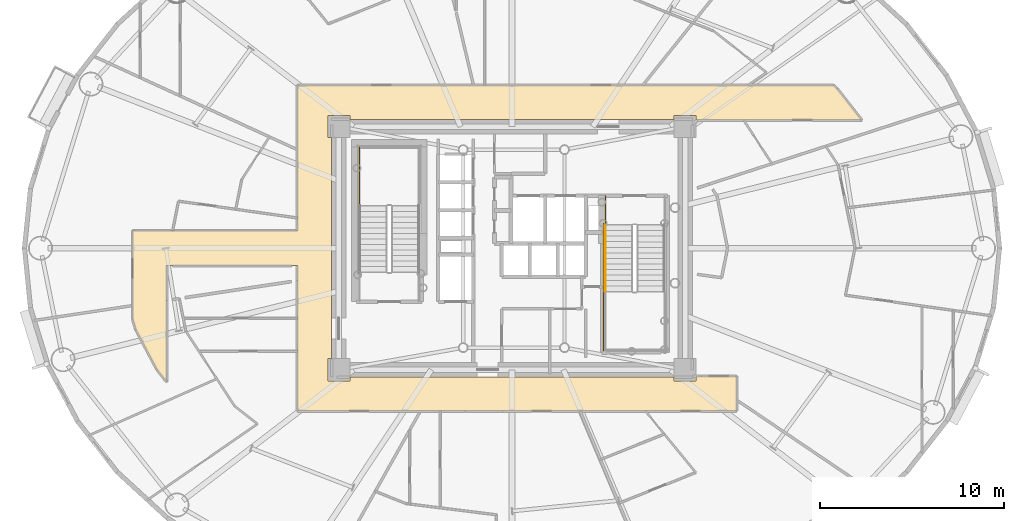
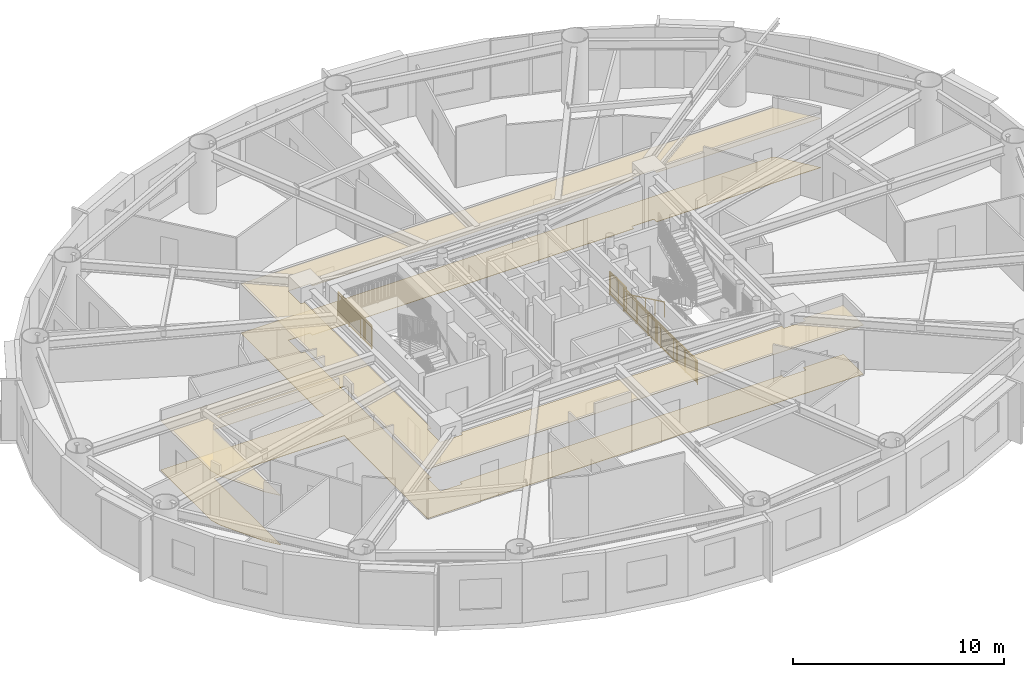
# One storey, part 17 of 21: 4 railings, 2 coverings.
"""IFC4 building model written with IfcOpenShell, lengths in metres."""

import ifcopenshell
import ifcopenshell.guid

model = None  # the IFC model being written
_history = None  # IfcOwnerHistory: only IFC2X3 demands one
_inside = {}  # id of a spatial element -> (the spatial element, [elements in it])
_under = {}  # id of a project, library or spatial element -> (it, [spatial elements below it])
_declared = {}  # id of a project -> (the project, [libraries it declares])
_typed = {}  # id of a type object -> (the type object, [elements of that type])
_made_of = {}  # id of a material, layer set ... -> (it, [elements and type objects made of it])


def new_model(schema):
    """Start an empty IFC model of exactly this schema.

    Asked for "IFC4X3", IfcOpenShell would pick the latest addendum, in which some entities
    have other attributes; the version numbers below select the first issue.
    IFC2X3 requires an IfcOwnerHistory on every rooted entity: one is made here for all.
    """
    global model, _history
    if schema == "IFC4X3":
        model = ifcopenshell.file(schema_version=(4, 3, 0, 0))
    else:
        model = ifcopenshell.file(schema=schema)
    _inside.clear()
    _under.clear()
    _declared.clear()
    _typed.clear()
    _made_of.clear()
    _history = None
    if model.schema == "IFC2X3":
        org = make("IfcOrganization", Name="unknown")
        user = make(
            "IfcPersonAndOrganization",
            ThePerson=make("IfcPerson", FamilyName="unknown"),
            TheOrganization=org,
        )
        app = make(
            "IfcApplication",
            ApplicationDeveloper=org,
            Version="unknown",
            ApplicationFullName="unknown",
            ApplicationIdentifier="unknown",
        )
        _history = make(
            "IfcOwnerHistory",
            OwningUser=user,
            OwningApplication=app,
            ChangeAction="ADDED",
            CreationDate=0,
        )
    return model


def make(cls, **values):
    """One entity of the class cls with the attributes given. An attribute that is None is left unset."""
    return model.create_entity(
        cls, **{name: value for name, value in values.items() if value is not None}
    )


def rooted(cls, **values):
    """An entity with a GlobalId (a new one), such as an element, a storey or a relation."""
    return make(cls, GlobalId=ifcopenshell.guid.new(), OwnerHistory=_history, **values)


def si_unit(unit_type, name, prefix=None):
    """IfcSIUnit, for example si_unit("LENGTHUNIT", "METRE", prefix="MILLI")."""
    return make("IfcSIUnit", UnitType=unit_type, Prefix=prefix, Name=name)


def assignment(units):
    """IfcUnitAssignment: the units of a project."""
    return None if units is None else make("IfcUnitAssignment", Units=units)


def point(xyz):
    """IfcCartesianPoint."""
    return None if xyz is None else make("IfcCartesianPoint", Coordinates=xyz)


def direction(xyz):
    """IfcDirection."""
    return None if xyz is None else make("IfcDirection", DirectionRatios=xyz)


def frame(location, z_axis=None, x_axis=None):
    """IfcAxis2Placement3D, a coordinate frame: its origin and axes. An axis left out is left unset."""
    return make(
        "IfcAxis2Placement3D",
        Location=point(location),
        Axis=direction(z_axis),
        RefDirection=direction(x_axis),
    )


def frame_2d(location, x_axis=None):
    """IfcAxis2Placement2D, a coordinate frame in the plane: its origin and x axis."""
    return make(
        "IfcAxis2Placement2D", Location=point(location), RefDirection=direction(x_axis)
    )


def origin():
    """The frame at (0, 0, 0) with its axes left unset."""
    return frame((0.0, 0.0, 0.0))


def origin_2d():
    """The frame at (0, 0) in the plane with its x axis left unset."""
    return frame_2d((0.0, 0.0))


def place(relative_to, where):
    """IfcLocalPlacement: puts the frame where relative to a parent placement (None: the world)."""
    return make(
        "IfcLocalPlacement", PlacementRelTo=relative_to, RelativePlacement=where
    )


def context(
    kind, dimensions, precision=None, world=None, true_north=None, identifier=None
):
    """IfcGeometricRepresentationContext, for example the 3D "Model" context."""
    return make(
        "IfcGeometricRepresentationContext",
        ContextIdentifier=identifier,
        ContextType=kind,
        CoordinateSpaceDimension=dimensions,
        Precision=precision,
        WorldCoordinateSystem=world,
        TrueNorth=true_north,
    )


def subcontext(parent, identifier, kind, view, scale=None):
    """IfcGeometricRepresentationSubContext, for example "Body" below "Model"."""
    return make(
        "IfcGeometricRepresentationSubContext",
        ContextIdentifier=identifier,
        ContextType=kind,
        ParentContext=parent,
        TargetScale=scale,
        TargetView=view,
    )


def project(units=None, contexts=None):
    """IfcProject with its units and contexts."""
    return rooted(
        "IfcProject",
        Name="project",
        RepresentationContexts=contexts,
        UnitsInContext=assignment(units),
    )


def spatial(cls, under=None, at=None, **own):
    """A site, building, storey or space (cls), placed at a placement, below another one or the project."""
    s = rooted(cls, ObjectPlacement=at, **own)
    if under is not None:
        _under.setdefault(under.id(), (under, []))[1].append(s)
    return s


def polyline(points):
    """IfcPolyline through the points."""
    return make("IfcPolyline", Points=[point(p) for p in points])


def profile(cls, at=None, kind="AREA", **sizes):
    """A parametric profile (cls). Its sizes go by their IFC names, for example OverallWidth=200.0."""
    return make(cls, ProfileType=kind, Position=at, **sizes)


def rectangle(**sizes):
    """IfcRectangleProfileDef."""
    return profile("IfcRectangleProfileDef", **sizes)


def outline(outer, holes=None, kind="AREA"):
    """IfcArbitraryClosedProfileDef: a profile drawn as a closed curve; with holes, ...WithVoids."""
    if holes is None:
        return make("IfcArbitraryClosedProfileDef", ProfileType=kind, OuterCurve=outer)
    return make(
        "IfcArbitraryProfileDefWithVoids",
        ProfileType=kind,
        OuterCurve=outer,
        InnerCurves=holes,
    )


def extrude(swept, where, along, depth):
    """IfcExtrudedAreaSolid: the profile swept, set in the frame where, extruded along a direction by depth."""
    return make(
        "IfcExtrudedAreaSolid",
        SweptArea=swept,
        Position=where,
        ExtrudedDirection=direction(along),
        Depth=depth,
    )


def shape(context_of_items, identifier, shape_type, items):
    """IfcShapeRepresentation: the items that make up one representation, for example the "Body"."""
    return make(
        "IfcShapeRepresentation",
        ContextOfItems=context_of_items,
        RepresentationIdentifier=identifier,
        RepresentationType=shape_type,
        Items=items,
    )


def source(mapping_origin, context_of_items, identifier, shape_type, items):
    """IfcRepresentationMap: a shape defined once, which mapped items show again and again."""
    return make(
        "IfcRepresentationMap",
        MappingOrigin=mapping_origin,
        MappedRepresentation=shape(context_of_items, identifier, shape_type, items),
    )


def transform(
    local_origin,
    x_axis=None,
    y_axis=None,
    z_axis=None,
    scale=None,
    scale2=None,
    scale3=None,
    uniform=True,
):
    """IfcCartesianTransformationOperator3D, or its non-uniform kind. x_axis, y_axis, z_axis: its Axis1, 2, 3."""
    if uniform:
        return make(
            "IfcCartesianTransformationOperator3D",
            Axis1=direction(x_axis),
            Axis2=direction(y_axis),
            LocalOrigin=point(local_origin),
            Scale=scale,
            Axis3=direction(z_axis),
        )
    return make(
        "IfcCartesianTransformationOperator3DnonUniform",
        Axis1=direction(x_axis),
        Axis2=direction(y_axis),
        LocalOrigin=point(local_origin),
        Scale=scale,
        Axis3=direction(z_axis),
        Scale2=scale2,
        Scale3=scale3,
    )


def mapped(mapping_source, mapping_target):
    """IfcMappedItem: shows the shape of a source again, moved by a transform."""
    return make(
        "IfcMappedItem", MappingSource=mapping_source, MappingTarget=mapping_target
    )


def material(Name=None, Category=None):
    """IfcMaterial."""
    return make("IfcMaterial", Name=Name, Category=Category)


def layer(
    of_material, thickness, ventilated=None, Name=None, Category=None, Priority=None
):
    """IfcMaterialLayer: one layer of a wall or slab, of a material (None: an air gap)."""
    return make(
        "IfcMaterialLayer",
        Material=of_material,
        LayerThickness=thickness,
        IsVentilated=ventilated,
        Name=Name,
        Category=Category,
        Priority=Priority,
    )


def layer_set(layers, Name=None):
    """IfcMaterialLayerSet."""
    return make("IfcMaterialLayerSet", MaterialLayers=layers, LayerSetName=Name)


def made_of(thing, what):
    """Note that an element or type object is made of a material, layer set ...; save() writes the relation."""
    if what is not None:
        _made_of.setdefault(what.id(), (what, []))[1].append(thing)
    return thing


def type_object(cls, material=None, **own):
    """A type object (cls), such as IfcWallType, which elements share."""
    return made_of(rooted(cls, **own), material)


def element(
    cls,
    number,
    at=None,
    inside=None,
    cuts=None,
    type_object=None,
    material=None,
    context=None,
    identifier="Body",
    shape_type=None,
    held_by="IfcProductDefinitionShape",
    body=None,
    shapes=None,
    **own,
):
    """One element of the class cls, such as IfcWall. Its Tag is "e" and its number.

    at: its placement. inside: the storey or other place that contains it. cuts: it is an
    opening in that element (IfcRelVoidsElement). A single representation is given by context,
    identifier, shape_type and body (its items); several are given by shapes. held_by: the class
    of the entity that holds the representations. save() writes the other relations.
    """
    e = rooted(cls, Tag="e%d" % number, ObjectPlacement=at, **own)
    if body is not None:
        shapes = [shape(context, identifier, shape_type, body)]
    if shapes is not None:
        e.Representation = make(held_by, Representations=shapes)
    if inside is not None:
        _inside.setdefault(inside.id(), (inside, []))[1].append(e)
    if cuts is not None:
        rooted(
            "IfcRelVoidsElement", RelatingBuildingElement=cuts, RelatedOpeningElement=e
        )
    if type_object is not None:
        _typed.setdefault(type_object.id(), (type_object, []))[1].append(e)
    return made_of(e, material)


def aggregate(whole, parts):
    """IfcRelAggregates: a whole, such as a stair, and the parts it consists of."""
    return rooted("IfcRelAggregates", RelatingObject=whole, RelatedObjects=parts)


def save(model, path):
    """Write the relations noted so far, then the file.

    IfcRelAggregates (storeys below a building ...), IfcRelContainedInSpatialStructure (elements
    in a storey), IfcRelDefinesByType, IfcRelAssociatesMaterial and IfcRelDeclares: one each for
    every whole, place, type object, material and project.
    """
    for whole, parts in _under.values():
        aggregate(whole, parts)
    for where, things in _inside.values():
        rooted(
            "IfcRelContainedInSpatialStructure",
            RelatedElements=things,
            RelatingStructure=where,
        )
    for kind, things in _typed.values():
        rooted("IfcRelDefinesByType", RelatedObjects=things, RelatingType=kind)
    for what, things in _made_of.values():
        rooted("IfcRelAssociatesMaterial", RelatedObjects=things, RelatingMaterial=what)
    for by, libraries in _declared.values():
        rooted("IfcRelDeclares", RelatingContext=by, RelatedDefinitions=libraries)
    model.write(path)


model = new_model("IFC4")

# Units and contexts
model_context = context("Model", 3, precision=1e-05, world=origin(), true_north=direction((0.0, 1.0)))
body_context = subcontext(model_context, "Body", "Model", "MODEL_VIEW")
ifc_project = project(units=[si_unit("LENGTHUNIT", "METRE"), si_unit("AREAUNIT", "SQUARE_METRE"), si_unit("VOLUMEUNIT", "CUBIC_METRE"), si_unit("PLANEANGLEUNIT", "RADIAN"), si_unit("MASSUNIT", "GRAM", prefix="KILO")], contexts=[model_context])

# Site, building, storey
site_placement = place(None, origin())
site = spatial("IfcSite", under=ifc_project, at=site_placement, CompositionType="ELEMENT")
building_placement = place(site_placement, origin())
building = spatial("IfcBuilding", under=site, at=building_placement, Name="Linh Dai School and Residence Tower", CompositionType="ELEMENT")
storey_placement = place(building_placement, frame((0.0, 0.0, 156.14990234375)))
storey = spatial("IfcBuildingStorey", under=building, at=storey_placement, Name="L37", CompositionType="ELEMENT", Elevation=156.14990234375)

# Coverings
ifc_material_1 = material(Name="Mineral Fibre Acoustic Suspended Ceiling", Category="masonry")
ifc_layer_1 = layer(ifc_material_1, 0.02001953125)
ifc_layer_set_1 = layer_set([ifc_layer_1], Name="Mineral Fibre Acoustic Suspended Ceiling")
covering_type_1 = type_object("IfcCoveringType", Name="COV-CEIL-AC-20", PredefinedType="CEILING", material=ifc_layer_set_1)
covering_1_placement = place(storey_placement, frame((0.0, 0.0, 2.85009765625)))
element("IfcCovering", 1, at=covering_1_placement, inside=storey, type_object=covering_type_1, Name="L37 Residential Floor Corridor Suspended Ceiling", PredefinedType="CEILING", context=body_context, shape_type="SweptSolid", body=[
    extrude(outline(polyline([(17.25, 19.734375), (16.720458984375, 20.410888671875), (15.57421875, 22.577880859375), (15.39990234375, 23.14599609375), (15.39990234375, 27.949951171875), (24.35009765625, 27.949951171875), (24.35009765625, 35.85009765625), (53.453857421875, 35.85009765625), (53.6533203125, 35.6669921875), (54.9970703125, 33.949951171875), (46.0, 33.949951171875), (46.0, 34.199951171875), (44.800048828125, 34.199951171875), (44.800048828125, 34.0), (27.199951171875, 34.0), (27.199951171875, 34.199951171875), (26.0, 34.199951171875), (26.0, 33.0), (26.199951171875, 33.0), (26.199951171875, 21.0), (26.0, 21.0), (26.0, 19.800048828125), (27.199951171875, 19.800048828125), (27.199951171875, 20.0), (44.800048828125, 20.0), (44.800048828125, 19.800048828125), (46.0, 19.800048828125), (46.0, 20.050048828125), (48.199951171875, 20.050048828125), (48.199951171875, 18.14990234375), (24.35009765625, 18.14990234375), (24.35009765625, 26.050048828125), (17.25, 26.050048828125), (17.25, 19.734375)])), origin(), (0.0, 0.0, 1.0), 0.02001953125),
])
ifc_material_2 = material(Name="Polished Terrazzo Floor Finish", Category="masonry")
ifc_layer_2 = layer(ifc_material_2, 0.02490234375)
ifc_layer_set_2 = layer_set([ifc_layer_2], Name="Polished Terrazzo Floor Finish")
covering_type_2 = type_object("IfcCoveringType", Name="COV-FLR-TRZ-25", PredefinedType="FLOORING", material=ifc_layer_set_2)
covering_2_placement = place(storey_placement, origin())
element("IfcCovering", 2, at=covering_2_placement, inside=storey, type_object=covering_type_2, Name="L37 Residential Floor Corridor Floor Finish", PredefinedType="FLOORING", context=body_context, shape_type="SweptSolid", body=[
    extrude(outline(polyline([(17.25, 19.734375), (16.720458984375, 20.410888671875), (15.57421875, 22.577880859375), (15.39990234375, 23.14599609375), (15.39990234375, 27.949951171875), (24.35009765625, 27.949951171875), (24.35009765625, 35.85009765625), (53.453857421875, 35.85009765625), (53.6533203125, 35.6669921875), (54.9970703125, 33.949951171875), (46.0, 33.949951171875), (46.0, 34.199951171875), (44.800048828125, 34.199951171875), (44.800048828125, 34.0), (27.199951171875, 34.0), (27.199951171875, 34.199951171875), (26.0, 34.199951171875), (26.0, 33.0), (26.199951171875, 33.0), (26.199951171875, 21.0), (26.0, 21.0), (26.0, 19.800048828125), (27.199951171875, 19.800048828125), (27.199951171875, 20.0), (44.800048828125, 20.0), (44.800048828125, 19.800048828125), (46.0, 19.800048828125), (46.0, 20.050048828125), (48.199951171875, 20.050048828125), (48.199951171875, 18.14990234375), (24.35009765625, 18.14990234375), (24.35009765625, 26.050048828125), (17.25, 26.050048828125), (17.25, 19.734375)])), origin(), (0.0, 0.0, 1.0), 0.02001953125),
])

# Railings
ifc_material_3 = material(Name="Structural Steel S355JR", Category="steel")
railing_type_1 = type_object("IfcRailingType", Name="RL-ST-GUARD-1400", PredefinedType="GUARDRAIL", material=ifc_material_3)
shared_shape_1 = source(origin(), body_context, "Body", "SweptSolid", [
    extrude(rectangle(XDim=0.048095703125, YDim=0.048095703125, at=origin_2d()), frame((0.0, 0.0, 1.3759765625), z_axis=(0.0, 1.0, 0.0), x_axis=(-1.0, 0.0, 0.0)), (0.0, 0.0, 1.0), 3.199951171875),
    extrude(rectangle(XDim=0.048095703125, YDim=0.048095703125, at=origin_2d()), frame((0.0, 0.0, 0.10009765625), z_axis=(0.0, 1.0, 0.0), x_axis=(-1.0, 0.0, 0.0)), (0.0, 0.0, 1.0), 3.199951171875),
    extrude(rectangle(XDim=0.030029296875, YDim=0.030029296875, at=origin_2d()), frame((0.0, 0.0, 1.239990234375), z_axis=(0.0, 1.0, 0.0), x_axis=(-1.0, 0.0, 0.0)), (0.0, 0.0, 1.0), 3.199951171875),
    extrude(rectangle(XDim=0.02001953125, YDim=0.02001953125, at=origin_2d()), frame((0.0, 0.096923828125, 0.10009765625)), (0.0, 0.0, 1.0), 1.251708984375),
    extrude(rectangle(XDim=0.02001953125, YDim=0.02001953125, at=origin_2d()), frame((0.0, 0.19384765625, 0.10009765625)), (0.0, 0.0, 1.0), 1.251708984375),
    extrude(rectangle(XDim=0.02001953125, YDim=0.02001953125, at=origin_2d()), frame((0.0, 0.291015625, 0.10009765625)), (0.0, 0.0, 1.0), 1.251708984375),
    extrude(rectangle(XDim=0.02001953125, YDim=0.02001953125, at=origin_2d()), frame((0.0, 0.387939453125, 0.10009765625)), (0.0, 0.0, 1.0), 1.251708984375),
    extrude(rectangle(XDim=0.02001953125, YDim=0.02001953125, at=origin_2d()), frame((0.0, 0.48486328125, 0.10009765625)), (0.0, 0.0, 1.0), 1.251708984375),
    extrude(rectangle(XDim=0.02001953125, YDim=0.02001953125, at=origin_2d()), frame((0.0, 0.581787109375, 0.10009765625)), (0.0, 0.0, 1.0), 1.251708984375),
    extrude(rectangle(XDim=0.02001953125, YDim=0.02001953125, at=origin_2d()), frame((0.0, 0.6787109375, 0.10009765625)), (0.0, 0.0, 1.0), 1.251708984375),
    extrude(rectangle(XDim=0.02001953125, YDim=0.02001953125, at=origin_2d()), frame((0.0, 0.775634765625, 0.10009765625)), (0.0, 0.0, 1.0), 1.251708984375),
    extrude(rectangle(XDim=0.02001953125, YDim=0.02001953125, at=origin_2d()), frame((0.0, 0.872802734375, 0.10009765625)), (0.0, 0.0, 1.0), 1.251708984375),
    extrude(rectangle(XDim=0.02001953125, YDim=0.02001953125, at=origin_2d()), frame((0.0, 0.9697265625, 0.10009765625)), (0.0, 0.0, 1.0), 1.251708984375),
    extrude(rectangle(XDim=0.02001953125, YDim=0.02001953125, at=origin_2d()), frame((0.0, 1.16357421875, 0.10009765625)), (0.0, 0.0, 1.0), 1.251708984375),
    extrude(rectangle(XDim=0.02001953125, YDim=0.02001953125, at=origin_2d()), frame((0.0, 1.260498046875, 0.10009765625)), (0.0, 0.0, 1.0), 1.251708984375),
    extrude(rectangle(XDim=0.02001953125, YDim=0.02001953125, at=origin_2d()), frame((0.0, 1.357666015625, 0.10009765625)), (0.0, 0.0, 1.0), 1.251708984375),
    extrude(rectangle(XDim=0.02001953125, YDim=0.02001953125, at=origin_2d()), frame((0.0, 1.45458984375, 0.10009765625)), (0.0, 0.0, 1.0), 1.251708984375),
    extrude(rectangle(XDim=0.02001953125, YDim=0.02001953125, at=origin_2d()), frame((0.0, 1.551513671875, 0.10009765625)), (0.0, 0.0, 1.0), 1.251708984375),
    extrude(rectangle(XDim=0.02001953125, YDim=0.02001953125, at=origin_2d()), frame((0.0, 1.6484375, 0.10009765625)), (0.0, 0.0, 1.0), 1.251708984375),
    extrude(rectangle(XDim=0.02001953125, YDim=0.02001953125, at=origin_2d()), frame((0.0, 1.745361328125, 0.10009765625)), (0.0, 0.0, 1.0), 1.251708984375),
    extrude(rectangle(XDim=0.02001953125, YDim=0.02001953125, at=origin_2d()), frame((0.0, 1.84228515625, 0.10009765625)), (0.0, 0.0, 1.0), 1.251708984375),
    extrude(rectangle(XDim=0.02001953125, YDim=0.02001953125, at=origin_2d()), frame((0.0, 1.939453125, 0.10009765625)), (0.0, 0.0, 1.0), 1.251708984375),
    extrude(rectangle(XDim=0.02001953125, YDim=0.02001953125, at=origin_2d()), frame((0.0, 2.036376953125, 0.10009765625)), (0.0, 0.0, 1.0), 1.251708984375),
    extrude(rectangle(XDim=0.02001953125, YDim=0.02001953125, at=origin_2d()), frame((0.0, 2.230224609375, 0.10009765625)), (0.0, 0.0, 1.0), 1.251708984375),
    extrude(rectangle(XDim=0.02001953125, YDim=0.02001953125, at=origin_2d()), frame((0.0, 2.3271484375, 0.10009765625)), (0.0, 0.0, 1.0), 1.251708984375),
    extrude(rectangle(XDim=0.02001953125, YDim=0.02001953125, at=origin_2d()), frame((0.0, 2.42431640625, 0.10009765625)), (0.0, 0.0, 1.0), 1.251708984375),
    extrude(rectangle(XDim=0.02001953125, YDim=0.02001953125, at=origin_2d()), frame((0.0, 2.521240234375, 0.10009765625)), (0.0, 0.0, 1.0), 1.251708984375),
    extrude(rectangle(XDim=0.02001953125, YDim=0.02001953125, at=origin_2d()), frame((0.0, 2.6181640625, 0.10009765625)), (0.0, 0.0, 1.0), 1.251708984375),
    extrude(rectangle(XDim=0.02001953125, YDim=0.02001953125, at=origin_2d()), frame((0.0, 2.715087890625, 0.10009765625)), (0.0, 0.0, 1.0), 1.251708984375),
    extrude(rectangle(XDim=0.02001953125, YDim=0.02001953125, at=origin_2d()), frame((0.0, 2.81201171875, 0.10009765625)), (0.0, 0.0, 1.0), 1.251708984375),
    extrude(rectangle(XDim=0.02001953125, YDim=0.02001953125, at=origin_2d()), frame((0.0, 2.908935546875, 0.10009765625)), (0.0, 0.0, 1.0), 1.251708984375),
    extrude(rectangle(XDim=0.02001953125, YDim=0.02001953125, at=origin_2d()), frame((0.0, 3.006103515625, 0.10009765625)), (0.0, 0.0, 1.0), 1.251708984375),
    extrude(rectangle(XDim=0.02001953125, YDim=0.02001953125, at=origin_2d()), frame((0.0, 3.10302734375, 0.10009765625)), (0.0, 0.0, 1.0), 1.251708984375),
    extrude(rectangle(XDim=0.0419921875, YDim=0.0419921875, at=origin_2d()), origin(), (0.0, 0.0, 1.0), 1.3759765625),
    extrude(rectangle(XDim=0.0419921875, YDim=0.0419921875, at=origin_2d()), frame((0.0, 1.066650390625, 0.0)), (0.0, 0.0, 1.0), 1.3759765625),
    extrude(rectangle(XDim=0.0419921875, YDim=0.0419921875, at=origin_2d()), frame((0.0, 2.13330078125, 0.0)), (0.0, 0.0, 1.0), 1.3759765625),
    extrude(rectangle(XDim=0.0419921875, YDim=0.0419921875, at=origin_2d()), frame((0.0, 3.199951171875, 0.0)), (0.0, 0.0, 1.0), 1.3759765625),
])
railing_1_placement = place(storey_placement, frame((27.72998046875, 29.300048828125, 1.875)))
element("IfcRailing", 3, at=railing_1_placement, inside=storey, type_object=railing_type_1, Name="L37 ST1 stair guard 4", PredefinedType="GUARDRAIL", context=body_context, shape_type="MappedRepresentation", body=[
    mapped(shared_shape_1, transform((0.0, 0.0, 0.0), x_axis=(1.0, 0.0, 0.0), y_axis=(0.0, 1.0, 0.0), z_axis=(0.0, 0.0, 1.0), scale=1.0)),
])
ifc_material_4 = material(Name="Brushed Stainless Steel Handrail", Category="steel")
railing_type_2 = type_object("IfcRailingType", Name="RL-ST-HANDRAIL-900", PredefinedType="HANDRAIL", material=ifc_material_4)
shared_shape_2 = source(origin(), body_context, "Body", "SweptSolid", [
    extrude(rectangle(XDim=0.048095703125, YDim=0.048095703125, at=origin_2d()), frame((0.0, 0.0, 0.8759765625), z_axis=(0.0, -0.901262522062, 0.433273431364), x_axis=(1.0, 0.0, 0.0)), (0.0, 0.0, 1.0), 3.994384765625),
    extrude(rectangle(XDim=0.0419921875, YDim=0.0419921875, at=origin_2d()), origin(), (0.0, 0.0, 1.0), 0.8759765625),
    extrude(rectangle(XDim=0.0419921875, YDim=0.0419921875, at=origin_2d()), frame((0.0, -0.89990234375, 0.4326171875)), (0.0, 0.0, 1.0), 0.8759765625),
    extrude(rectangle(XDim=0.0419921875, YDim=0.0419921875, at=origin_2d()), frame((0.0, -1.800048828125, 0.865234375)), (0.0, 0.0, 1.0), 0.8759765625),
    extrude(rectangle(XDim=0.0419921875, YDim=0.0419921875, at=origin_2d()), frame((0.0, -2.7001953125, 1.298095703125)), (0.0, 0.0, 1.0), 0.8759765625),
    extrude(rectangle(XDim=0.0419921875, YDim=0.0419921875, at=origin_2d()), frame((0.0, -3.60009765625, 1.730712890625)), (0.0, 0.0, 1.0), 0.8759765625),
])
railing_2_placement = place(storey_placement, frame((41.070068359375, 28.25, 0.144287109375)))
element("IfcRailing", 4, at=railing_2_placement, inside=storey, type_object=railing_type_2, Name="L37 ST2 stair handrail 1", PredefinedType="HANDRAIL", context=body_context, shape_type="MappedRepresentation", body=[
    mapped(shared_shape_2, transform((0.0, 0.0, 0.0), x_axis=(1.0, 0.0, 0.0), y_axis=(0.0, 1.0, 0.0), z_axis=(0.0, 0.0, 1.0), scale=1.0)),
])
shared_shape_3 = source(origin(), body_context, "Body", "SweptSolid", [
    extrude(rectangle(XDim=0.048095703125, YDim=0.048095703125, at=origin_2d()), frame((0.0, 0.0, 1.3759765625), z_axis=(0.0, -1.0, 0.0), x_axis=(1.0, 0.0, 0.0)), (0.0, 0.0, 1.0), 1.60009765625),
    extrude(rectangle(XDim=0.048095703125, YDim=0.048095703125, at=origin_2d()), frame((0.0, 0.0, 0.10009765625), z_axis=(0.0, -1.0, 0.0), x_axis=(1.0, 0.0, 0.0)), (0.0, 0.0, 1.0), 1.60009765625),
    extrude(rectangle(XDim=0.030029296875, YDim=0.030029296875, at=origin_2d()), frame((0.0, 0.0, 1.239990234375), z_axis=(0.0, -1.0, 0.0), x_axis=(1.0, 0.0, 0.0)), (0.0, 0.0, 1.0), 1.60009765625),
    extrude(rectangle(XDim=0.02001953125, YDim=0.02001953125, at=origin_2d()), frame((0.0, -0.09423828125, 0.10009765625)), (0.0, 0.0, 1.0), 1.251708984375),
    extrude(rectangle(XDim=0.02001953125, YDim=0.02001953125, at=origin_2d()), frame((0.0, -0.188232421875, 0.10009765625)), (0.0, 0.0, 1.0), 1.251708984375),
    extrude(rectangle(XDim=0.02001953125, YDim=0.02001953125, at=origin_2d()), frame((0.0, -0.282470703125, 0.10009765625)), (0.0, 0.0, 1.0), 1.251708984375),
    extrude(rectangle(XDim=0.02001953125, YDim=0.02001953125, at=origin_2d()), frame((0.0, -0.37646484375, 0.10009765625)), (0.0, 0.0, 1.0), 1.251708984375),
    extrude(rectangle(XDim=0.02001953125, YDim=0.02001953125, at=origin_2d()), frame((0.0, -0.470703125, 0.10009765625)), (0.0, 0.0, 1.0), 1.251708984375),
    extrude(rectangle(XDim=0.02001953125, YDim=0.02001953125, at=origin_2d()), frame((0.0, -0.564697265625, 0.10009765625)), (0.0, 0.0, 1.0), 1.251708984375),
    extrude(rectangle(XDim=0.02001953125, YDim=0.02001953125, at=origin_2d()), frame((0.0, -0.658935546875, 0.10009765625)), (0.0, 0.0, 1.0), 1.251708984375),
    extrude(rectangle(XDim=0.02001953125, YDim=0.02001953125, at=origin_2d()), frame((0.0, -0.7529296875, 0.10009765625)), (0.0, 0.0, 1.0), 1.251708984375),
    extrude(rectangle(XDim=0.02001953125, YDim=0.02001953125, at=origin_2d()), frame((0.0, -0.84716796875, 0.10009765625)), (0.0, 0.0, 1.0), 1.251708984375),
    extrude(rectangle(XDim=0.02001953125, YDim=0.02001953125, at=origin_2d()), frame((0.0, -0.941162109375, 0.10009765625)), (0.0, 0.0, 1.0), 1.251708984375),
    extrude(rectangle(XDim=0.02001953125, YDim=0.02001953125, at=origin_2d()), frame((0.0, -1.035400390625, 0.10009765625)), (0.0, 0.0, 1.0), 1.251708984375),
    extrude(rectangle(XDim=0.02001953125, YDim=0.02001953125, at=origin_2d()), frame((0.0, -1.12939453125, 0.10009765625)), (0.0, 0.0, 1.0), 1.251708984375),
    extrude(rectangle(XDim=0.02001953125, YDim=0.02001953125, at=origin_2d()), frame((0.0, -1.2236328125, 0.10009765625)), (0.0, 0.0, 1.0), 1.251708984375),
    extrude(rectangle(XDim=0.02001953125, YDim=0.02001953125, at=origin_2d()), frame((0.0, -1.317626953125, 0.10009765625)), (0.0, 0.0, 1.0), 1.251708984375),
    extrude(rectangle(XDim=0.02001953125, YDim=0.02001953125, at=origin_2d()), frame((0.0, -1.411865234375, 0.10009765625)), (0.0, 0.0, 1.0), 1.251708984375),
    extrude(rectangle(XDim=0.02001953125, YDim=0.02001953125, at=origin_2d()), frame((0.0, -1.505859375, 0.10009765625)), (0.0, 0.0, 1.0), 1.251708984375),
    extrude(rectangle(XDim=0.0419921875, YDim=0.0419921875, at=origin_2d()), origin(), (0.0, 0.0, 1.0), 1.3759765625),
    extrude(rectangle(XDim=0.0419921875, YDim=0.0419921875, at=origin_2d()), frame((0.0, -0.800048828125, 0.0)), (0.0, 0.0, 1.0), 1.3759765625),
    extrude(rectangle(XDim=0.0419921875, YDim=0.0419921875, at=origin_2d()), frame((0.0, -1.60009765625, 0.0)), (0.0, 0.0, 1.0), 1.3759765625),
])
railing_3_placement = place(storey_placement, frame((41.070068359375, 29.85009765625, 0.0)))
element("IfcRailing", 5, at=railing_3_placement, inside=storey, type_object=railing_type_1, Name="L37 ST2 stair guard 8", PredefinedType="GUARDRAIL", context=body_context, shape_type="MappedRepresentation", body=[
    mapped(shared_shape_3, transform((0.0, 0.0, 0.0), x_axis=(1.0, 0.0, 0.0), y_axis=(0.0, 1.0, 0.0), z_axis=(0.0, 0.0, 1.0), scale=1.0)),
])
shared_shape_4 = source(origin(), body_context, "Body", "SweptSolid", [
    extrude(rectangle(XDim=0.048095703125, YDim=0.048095703125, at=origin_2d()), frame((0.0, 0.0, 1.3759765625), z_axis=(0.0, -1.0, 0.0), x_axis=(1.0, 0.0, 0.0)), (0.0, 0.0, 1.0), 7.0),
    extrude(rectangle(XDim=0.048095703125, YDim=0.048095703125, at=origin_2d()), frame((0.0, 0.0, 0.10009765625), z_axis=(0.0, -1.0, 0.0), x_axis=(1.0, 0.0, 0.0)), (0.0, 0.0, 1.0), 7.0),
    extrude(rectangle(XDim=0.030029296875, YDim=0.030029296875, at=origin_2d()), frame((0.0, 0.0, 1.239990234375), z_axis=(0.0, -1.0, 0.0), x_axis=(1.0, 0.0, 0.0)), (0.0, 0.0, 1.0), 7.0),
    extrude(rectangle(XDim=0.02001953125, YDim=0.02001953125, at=origin_2d()), frame((0.0, -0.09716796875, 0.10009765625)), (0.0, 0.0, 1.0), 1.251708984375),
    extrude(rectangle(XDim=0.02001953125, YDim=0.02001953125, at=origin_2d()), frame((0.0, -0.1943359375, 0.10009765625)), (0.0, 0.0, 1.0), 1.251708984375),
    extrude(rectangle(XDim=0.02001953125, YDim=0.02001953125, at=origin_2d()), frame((0.0, -0.291748046875, 0.10009765625)), (0.0, 0.0, 1.0), 1.251708984375),
    extrude(rectangle(XDim=0.02001953125, YDim=0.02001953125, at=origin_2d()), frame((0.0, -0.388916015625, 0.10009765625)), (0.0, 0.0, 1.0), 1.251708984375),
    extrude(rectangle(XDim=0.02001953125, YDim=0.02001953125, at=origin_2d()), frame((0.0, -0.486083984375, 0.10009765625)), (0.0, 0.0, 1.0), 1.251708984375),
    extrude(rectangle(XDim=0.02001953125, YDim=0.02001953125, at=origin_2d()), frame((0.0, -0.583251953125, 0.10009765625)), (0.0, 0.0, 1.0), 1.251708984375),
    extrude(rectangle(XDim=0.02001953125, YDim=0.02001953125, at=origin_2d()), frame((0.0, -0.6806640625, 0.10009765625)), (0.0, 0.0, 1.0), 1.251708984375),
    extrude(rectangle(XDim=0.02001953125, YDim=0.02001953125, at=origin_2d()), frame((0.0, -0.77783203125, 0.10009765625)), (0.0, 0.0, 1.0), 1.251708984375),
    extrude(rectangle(XDim=0.02001953125, YDim=0.02001953125, at=origin_2d()), frame((0.0, -0.875, 0.10009765625)), (0.0, 0.0, 1.0), 1.251708984375),
    extrude(rectangle(XDim=0.02001953125, YDim=0.02001953125, at=origin_2d()), frame((0.0, -0.97216796875, 0.10009765625)), (0.0, 0.0, 1.0), 1.251708984375),
    extrude(rectangle(XDim=0.02001953125, YDim=0.02001953125, at=origin_2d()), frame((0.0, -1.0693359375, 0.10009765625)), (0.0, 0.0, 1.0), 1.251708984375),
    extrude(rectangle(XDim=0.02001953125, YDim=0.02001953125, at=origin_2d()), frame((0.0, -1.263916015625, 0.10009765625)), (0.0, 0.0, 1.0), 1.251708984375),
    extrude(rectangle(XDim=0.02001953125, YDim=0.02001953125, at=origin_2d()), frame((0.0, -1.361083984375, 0.10009765625)), (0.0, 0.0, 1.0), 1.251708984375),
    extrude(rectangle(XDim=0.02001953125, YDim=0.02001953125, at=origin_2d()), frame((0.0, -1.458251953125, 0.10009765625)), (0.0, 0.0, 1.0), 1.251708984375),
    extrude(rectangle(XDim=0.02001953125, YDim=0.02001953125, at=origin_2d()), frame((0.0, -1.5556640625, 0.10009765625)), (0.0, 0.0, 1.0), 1.251708984375),
    extrude(rectangle(XDim=0.02001953125, YDim=0.02001953125, at=origin_2d()), frame((0.0, -1.65283203125, 0.10009765625)), (0.0, 0.0, 1.0), 1.251708984375),
    extrude(rectangle(XDim=0.02001953125, YDim=0.02001953125, at=origin_2d()), frame((0.0, -1.75, 0.10009765625)), (0.0, 0.0, 1.0), 1.251708984375),
    extrude(rectangle(XDim=0.02001953125, YDim=0.02001953125, at=origin_2d()), frame((0.0, -1.84716796875, 0.10009765625)), (0.0, 0.0, 1.0), 1.251708984375),
    extrude(rectangle(XDim=0.02001953125, YDim=0.02001953125, at=origin_2d()), frame((0.0, -1.9443359375, 0.10009765625)), (0.0, 0.0, 1.0), 1.251708984375),
    extrude(rectangle(XDim=0.02001953125, YDim=0.02001953125, at=origin_2d()), frame((0.0, -2.041748046875, 0.10009765625)), (0.0, 0.0, 1.0), 1.251708984375),
    extrude(rectangle(XDim=0.02001953125, YDim=0.02001953125, at=origin_2d()), frame((0.0, -2.138916015625, 0.10009765625)), (0.0, 0.0, 1.0), 1.251708984375),
    extrude(rectangle(XDim=0.02001953125, YDim=0.02001953125, at=origin_2d()), frame((0.0, -2.236083984375, 0.10009765625)), (0.0, 0.0, 1.0), 1.251708984375),
    extrude(rectangle(XDim=0.02001953125, YDim=0.02001953125, at=origin_2d()), frame((0.0, -2.4306640625, 0.10009765625)), (0.0, 0.0, 1.0), 1.251708984375),
    extrude(rectangle(XDim=0.02001953125, YDim=0.02001953125, at=origin_2d()), frame((0.0, -2.52783203125, 0.10009765625)), (0.0, 0.0, 1.0), 1.251708984375),
    extrude(rectangle(XDim=0.02001953125, YDim=0.02001953125, at=origin_2d()), frame((0.0, -2.625, 0.10009765625)), (0.0, 0.0, 1.0), 1.251708984375),
    extrude(rectangle(XDim=0.02001953125, YDim=0.02001953125, at=origin_2d()), frame((0.0, -2.72216796875, 0.10009765625)), (0.0, 0.0, 1.0), 1.251708984375),
    extrude(rectangle(XDim=0.02001953125, YDim=0.02001953125, at=origin_2d()), frame((0.0, -2.8193359375, 0.10009765625)), (0.0, 0.0, 1.0), 1.251708984375),
    extrude(rectangle(XDim=0.02001953125, YDim=0.02001953125, at=origin_2d()), frame((0.0, -2.916748046875, 0.10009765625)), (0.0, 0.0, 1.0), 1.251708984375),
    extrude(rectangle(XDim=0.02001953125, YDim=0.02001953125, at=origin_2d()), frame((0.0, -3.013916015625, 0.10009765625)), (0.0, 0.0, 1.0), 1.251708984375),
    extrude(rectangle(XDim=0.02001953125, YDim=0.02001953125, at=origin_2d()), frame((0.0, -3.111083984375, 0.10009765625)), (0.0, 0.0, 1.0), 1.251708984375),
    extrude(rectangle(XDim=0.02001953125, YDim=0.02001953125, at=origin_2d()), frame((0.0, -3.208251953125, 0.10009765625)), (0.0, 0.0, 1.0), 1.251708984375),
    extrude(rectangle(XDim=0.02001953125, YDim=0.02001953125, at=origin_2d()), frame((0.0, -3.3056640625, 0.10009765625)), (0.0, 0.0, 1.0), 1.251708984375),
    extrude(rectangle(XDim=0.02001953125, YDim=0.02001953125, at=origin_2d()), frame((0.0, -3.40283203125, 0.10009765625)), (0.0, 0.0, 1.0), 1.251708984375),
    extrude(rectangle(XDim=0.02001953125, YDim=0.02001953125, at=origin_2d()), frame((0.0, -3.59716796875, 0.10009765625)), (0.0, 0.0, 1.0), 1.251708984375),
    extrude(rectangle(XDim=0.02001953125, YDim=0.02001953125, at=origin_2d()), frame((0.0, -3.6943359375, 0.10009765625)), (0.0, 0.0, 1.0), 1.251708984375),
    extrude(rectangle(XDim=0.02001953125, YDim=0.02001953125, at=origin_2d()), frame((0.0, -3.791748046875, 0.10009765625)), (0.0, 0.0, 1.0), 1.251708984375),
    extrude(rectangle(XDim=0.02001953125, YDim=0.02001953125, at=origin_2d()), frame((0.0, -3.888916015625, 0.10009765625)), (0.0, 0.0, 1.0), 1.251708984375),
    extrude(rectangle(XDim=0.02001953125, YDim=0.02001953125, at=origin_2d()), frame((0.0, -3.986083984375, 0.10009765625)), (0.0, 0.0, 1.0), 1.251708984375),
    extrude(rectangle(XDim=0.02001953125, YDim=0.02001953125, at=origin_2d()), frame((0.0, -4.083251953125, 0.10009765625)), (0.0, 0.0, 1.0), 1.251708984375),
    extrude(rectangle(XDim=0.02001953125, YDim=0.02001953125, at=origin_2d()), frame((0.0, -4.1806640625, 0.10009765625)), (0.0, 0.0, 1.0), 1.251708984375),
    extrude(rectangle(XDim=0.02001953125, YDim=0.02001953125, at=origin_2d()), frame((0.0, -4.27783203125, 0.10009765625)), (0.0, 0.0, 1.0), 1.251708984375),
    extrude(rectangle(XDim=0.02001953125, YDim=0.02001953125, at=origin_2d()), frame((0.0, -4.375, 0.10009765625)), (0.0, 0.0, 1.0), 1.251708984375),
    extrude(rectangle(XDim=0.02001953125, YDim=0.02001953125, at=origin_2d()), frame((0.0, -4.47216796875, 0.10009765625)), (0.0, 0.0, 1.0), 1.251708984375),
    extrude(rectangle(XDim=0.02001953125, YDim=0.02001953125, at=origin_2d()), frame((0.0, -4.5693359375, 0.10009765625)), (0.0, 0.0, 1.0), 1.251708984375),
    extrude(rectangle(XDim=0.02001953125, YDim=0.02001953125, at=origin_2d()), frame((0.0, -4.763916015625, 0.10009765625)), (0.0, 0.0, 1.0), 1.251708984375),
    extrude(rectangle(XDim=0.02001953125, YDim=0.02001953125, at=origin_2d()), frame((0.0, -4.861083984375, 0.10009765625)), (0.0, 0.0, 1.0), 1.251708984375),
    extrude(rectangle(XDim=0.02001953125, YDim=0.02001953125, at=origin_2d()), frame((0.0, -4.958251953125, 0.10009765625)), (0.0, 0.0, 1.0), 1.251708984375),
    extrude(rectangle(XDim=0.02001953125, YDim=0.02001953125, at=origin_2d()), frame((0.0, -5.0556640625, 0.10009765625)), (0.0, 0.0, 1.0), 1.251708984375),
    extrude(rectangle(XDim=0.02001953125, YDim=0.02001953125, at=origin_2d()), frame((0.0, -5.15283203125, 0.10009765625)), (0.0, 0.0, 1.0), 1.251708984375),
    extrude(rectangle(XDim=0.02001953125, YDim=0.02001953125, at=origin_2d()), frame((0.0, -5.25, 0.10009765625)), (0.0, 0.0, 1.0), 1.251708984375),
    extrude(rectangle(XDim=0.02001953125, YDim=0.02001953125, at=origin_2d()), frame((0.0, -5.34716796875, 0.10009765625)), (0.0, 0.0, 1.0), 1.251708984375),
    extrude(rectangle(XDim=0.02001953125, YDim=0.02001953125, at=origin_2d()), frame((0.0, -5.4443359375, 0.10009765625)), (0.0, 0.0, 1.0), 1.251708984375),
    extrude(rectangle(XDim=0.02001953125, YDim=0.02001953125, at=origin_2d()), frame((0.0, -5.541748046875, 0.10009765625)), (0.0, 0.0, 1.0), 1.251708984375),
    extrude(rectangle(XDim=0.02001953125, YDim=0.02001953125, at=origin_2d()), frame((0.0, -5.638916015625, 0.10009765625)), (0.0, 0.0, 1.0), 1.251708984375),
    extrude(rectangle(XDim=0.02001953125, YDim=0.02001953125, at=origin_2d()), frame((0.0, -5.736083984375, 0.10009765625)), (0.0, 0.0, 1.0), 1.251708984375),
    extrude(rectangle(XDim=0.02001953125, YDim=0.02001953125, at=origin_2d()), frame((0.0, -5.9306640625, 0.10009765625)), (0.0, 0.0, 1.0), 1.251708984375),
    extrude(rectangle(XDim=0.02001953125, YDim=0.02001953125, at=origin_2d()), frame((0.0, -6.02783203125, 0.10009765625)), (0.0, 0.0, 1.0), 1.251708984375),
    extrude(rectangle(XDim=0.02001953125, YDim=0.02001953125, at=origin_2d()), frame((0.0, -6.125, 0.10009765625)), (0.0, 0.0, 1.0), 1.251708984375),
    extrude(rectangle(XDim=0.02001953125, YDim=0.02001953125, at=origin_2d()), frame((0.0, -6.22216796875, 0.10009765625)), (0.0, 0.0, 1.0), 1.251708984375),
    extrude(rectangle(XDim=0.02001953125, YDim=0.02001953125, at=origin_2d()), frame((0.0, -6.3193359375, 0.10009765625)), (0.0, 0.0, 1.0), 1.251708984375),
    extrude(rectangle(XDim=0.02001953125, YDim=0.02001953125, at=origin_2d()), frame((0.0, -6.416748046875, 0.10009765625)), (0.0, 0.0, 1.0), 1.251708984375),
    extrude(rectangle(XDim=0.02001953125, YDim=0.02001953125, at=origin_2d()), frame((0.0, -6.513916015625, 0.10009765625)), (0.0, 0.0, 1.0), 1.251708984375),
    extrude(rectangle(XDim=0.02001953125, YDim=0.02001953125, at=origin_2d()), frame((0.0, -6.611083984375, 0.10009765625)), (0.0, 0.0, 1.0), 1.251708984375),
    extrude(rectangle(XDim=0.02001953125, YDim=0.02001953125, at=origin_2d()), frame((0.0, -6.708251953125, 0.10009765625)), (0.0, 0.0, 1.0), 1.251708984375),
    extrude(rectangle(XDim=0.02001953125, YDim=0.02001953125, at=origin_2d()), frame((0.0, -6.8056640625, 0.10009765625)), (0.0, 0.0, 1.0), 1.251708984375),
    extrude(rectangle(XDim=0.02001953125, YDim=0.02001953125, at=origin_2d()), frame((0.0, -6.90283203125, 0.10009765625)), (0.0, 0.0, 1.0), 1.251708984375),
    extrude(rectangle(XDim=0.0419921875, YDim=0.0419921875, at=origin_2d()), origin(), (0.0, 0.0, 1.0), 1.3759765625),
    extrude(rectangle(XDim=0.0419921875, YDim=0.0419921875, at=origin_2d()), frame((0.0, -1.166748046875, 0.0)), (0.0, 0.0, 1.0), 1.3759765625),
    extrude(rectangle(XDim=0.0419921875, YDim=0.0419921875, at=origin_2d()), frame((0.0, -2.333251953125, 0.0)), (0.0, 0.0, 1.0), 1.3759765625),
    extrude(rectangle(XDim=0.0419921875, YDim=0.0419921875, at=origin_2d()), frame((0.0, -3.5, 0.0)), (0.0, 0.0, 1.0), 1.3759765625),
    extrude(rectangle(XDim=0.0419921875, YDim=0.0419921875, at=origin_2d()), frame((0.0, -4.666748046875, 0.0)), (0.0, 0.0, 1.0), 1.3759765625),
    extrude(rectangle(XDim=0.0419921875, YDim=0.0419921875, at=origin_2d()), frame((0.0, -5.833251953125, 0.0)), (0.0, 0.0, 1.0), 1.3759765625),
    extrude(rectangle(XDim=0.0419921875, YDim=0.0419921875, at=origin_2d()), frame((0.0, -7.0, 0.0)), (0.0, 0.0, 1.0), 1.3759765625),
])
railing_4_placement = place(storey_placement, frame((40.969970703125, 28.35009765625, 0.0)))
element("IfcRailing", 6, at=railing_4_placement, inside=storey, type_object=railing_type_1, Name="L37 ST2 stair guard 10", PredefinedType="GUARDRAIL", context=body_context, shape_type="MappedRepresentation", body=[
    mapped(shared_shape_4, transform((0.0, 0.0, 0.0), x_axis=(1.0, 0.0, 0.0), y_axis=(0.0, 1.0, 0.0), z_axis=(0.0, 0.0, 1.0), scale=1.0)),
])

save(model, "model.ifc")
